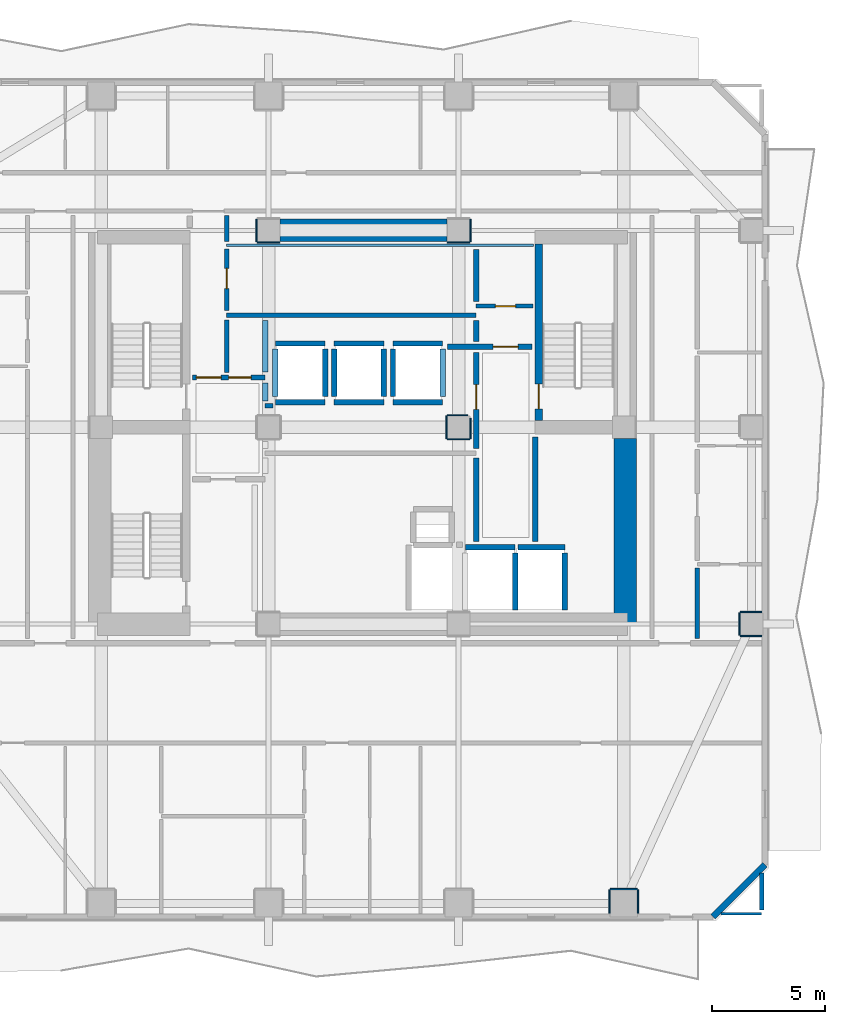
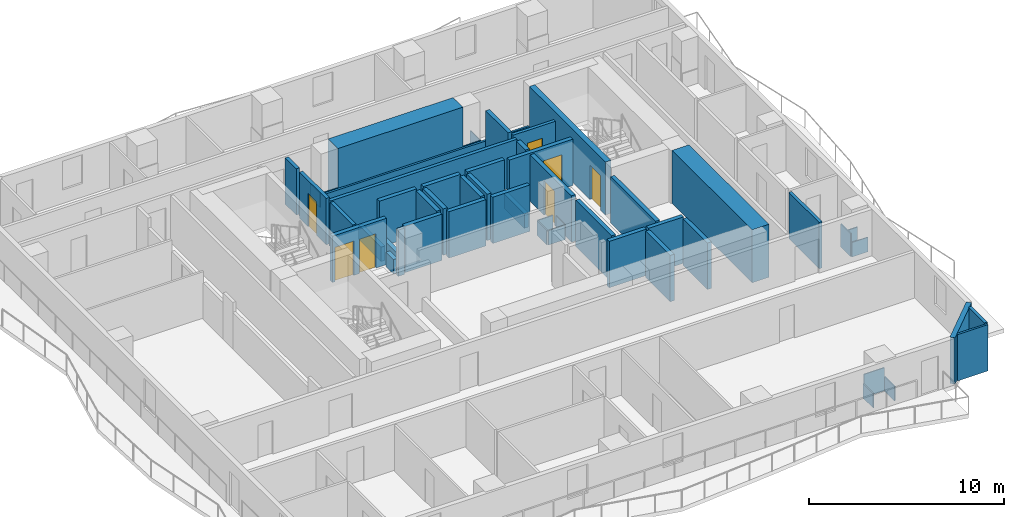
# One storey, part 4 of 10: 53 walls, 7 doors, 7 openings.
"""IFC4 building model written with IfcOpenShell, lengths in metres."""

from ifc_helpers import new_model, si_unit, direction, frame, frame_2d, origin, place, context, subcontext, project, spatial, rectangle, extrude, material, layer, layer_set, type_object, element, fill, save


model = new_model("IFC4")

# Units and contexts
model_context = context("Model", 3, precision=1e-05, world=origin(), true_north=direction((0.0, 1.0)))
body_context = subcontext(model_context, "Body", "Model", "MODEL_VIEW")
ifc_project = project(units=[si_unit("LENGTHUNIT", "METRE"), si_unit("AREAUNIT", "SQUARE_METRE"), si_unit("VOLUMEUNIT", "CUBIC_METRE"), si_unit("PLANEANGLEUNIT", "RADIAN"), si_unit("MASSUNIT", "GRAM", prefix="KILO")], contexts=[model_context])

# Site, building, storey
site_placement = place(None, origin())
site = spatial("IfcSite", under=ifc_project, at=site_placement, CompositionType="ELEMENT")
building_placement = place(site_placement, origin())
building = spatial("IfcBuilding", under=site, at=building_placement, Name="Solanera Arch Residences", CompositionType="ELEMENT")
storey_placement = place(building_placement, frame((0.0, 0.0, 122.679931640625)))
storey = spatial("IfcBuildingStorey", under=building, at=storey_placement, Name="L35", CompositionType="ELEMENT", Elevation=122.679931640625)

# Walls
ifc_material_1 = material(Name="Fire-Rated Gypsum Stud Partition", Category="gypsum")
ifc_layer_1 = layer(ifc_material_1, 0.06005859375)
ifc_layer_set_1 = layer_set([ifc_layer_1], Name="Fire-Rated Gypsum Stud Partition")
wall_type_1 = type_object("IfcWallType", Name="Column Acoustic Furring Wall 60", PredefinedType="PARTITIONING", material=ifc_layer_set_1)
for number, where, z_axis, x_axis, name in (
    (1, (20.300048828125, 38.867919921875, 0.0), (0.0, 0.0, 1.0), (1.0, 0.0, 0.0), "L35 Column Furring 3S"),
    (2, (20.26806640625, 38.89990234375, 0.0), (0.0, 0.0, 1.0), (0.0, 1.0, 0.0), "L35 Column Furring 3W"),
    (3, (28.699951171875, 38.867919921875, 0.0), (0.0, 0.0, 1.0), (1.0, 0.0, 0.0), "L35 Column Furring 4S"),
    (4, (29.73193359375, 38.89990234375, 0.0), (0.0, 0.0, 1.0), (0.0, 1.0, 0.0), "L35 Column Furring 4E"),
    (5, (28.699951171875, 30.16796875, 0.0), (0.0, 0.0, 1.0), (1.0, 0.0, 0.0), "L35 Column Furring 8S"),
):
    element("IfcWall", number, at=place(storey_placement, frame(where, z_axis=z_axis, x_axis=x_axis)), inside=storey, type_object=wall_type_1, Name=name, PredefinedType="PARTITIONING", context=body_context, shape_type="SweptSolid", body=[
        extrude(rectangle(XDim=1.0, YDim=0.06005859375, at=frame_2d((0.5, 0.0))), origin(), (0.0, 0.0, 1.0), 0.905029296875),
    ])
wall_1_placement = place(storey_placement, frame((28.699951171875, 31.23193359375, 0.0), z_axis=(0.0, 0.0, 1.0), x_axis=(1.0, 0.0, 0.0)))
element("IfcWall", 6, at=wall_1_placement, inside=storey, type_object=wall_type_1, Name="L35 Column Furring 8N", PredefinedType="PARTITIONING", context=body_context, shape_type="SweptSolid", body=[
    extrude(rectangle(XDim=0.903076171875, YDim=0.06005859375, at=frame_2d((0.45166015625, 0.0))), origin(), (0.0, 0.0, 1.0), 0.905029296875),
])
wall_2_placement = place(storey_placement, frame((28.66796875, 30.199951171875, 0.0), z_axis=(0.0, 0.0, 1.0), x_axis=(0.0, 1.0, 0.0)))
element("IfcWall", 7, at=wall_2_placement, inside=storey, type_object=wall_type_1, Name="L35 Column Furring 8W", PredefinedType="PARTITIONING", context=body_context, shape_type="SweptSolid", body=[
    extrude(rectangle(XDim=1.0, YDim=0.06005859375, at=frame_2d((0.5, 0.0))), origin(), (0.0, 0.0, 1.0), 0.905029296875),
])
wall_3_placement = place(storey_placement, frame((29.73193359375, 30.199951171875, 0.0), z_axis=(0.0, 0.0, 1.0), x_axis=(0.0, 1.0, 0.0)))
element("IfcWall", 8, at=wall_3_placement, inside=storey, type_object=wall_type_1, Name="L35 Column Furring 8E", PredefinedType="PARTITIONING", context=body_context, shape_type="SweptSolid", body=[
    extrude(rectangle(XDim=0.906982421875, YDim=0.06005859375, at=frame_2d((0.45361328125, 0.0))), origin(), (0.0, 0.0, 1.0), 0.905029296875),
])
wall_4_placement = place(storey_placement, frame((35.89990234375, 10.281982421875, 0.0), z_axis=(0.0, 0.0, 1.0), x_axis=(1.0, 0.0, 0.0)))
element("IfcWall", 9, at=wall_4_placement, inside=storey, type_object=wall_type_1, Name="L35 Column Furring 15N", PredefinedType="PARTITIONING", context=body_context, shape_type="SweptSolid", body=[
    extrude(rectangle(XDim=1.2001953125, YDim=0.06005859375, at=frame_2d((0.60009765625, 0.0))), origin(), (0.0, 0.0, 1.0), 1.449951171875),
])
for number, where, z_axis, x_axis, name in (
    (10, (35.867919921875, 9.2099609375, 0.0), (0.0, 0.0, 1.0), (0.0, 1.0, 0.0), "L35 Column Furring 15W"),
    (11, (37.132080078125, 9.2099609375, 0.0), (0.0, 0.0, 1.0), (0.0, 1.0, 0.0), "L35 Column Furring 15E"),
):
    element("IfcWall", number, at=place(storey_placement, frame(where, z_axis=z_axis, x_axis=x_axis)), inside=storey, type_object=wall_type_1, Name=name, PredefinedType="PARTITIONING", context=body_context, shape_type="SweptSolid", body=[
        extrude(rectangle(XDim=1.0400390625, YDim=0.06005859375, at=frame_2d((0.52001953125, 0.0))), origin(), (0.0, 0.0, 1.0), 0.905029296875),
    ])
for number, where, z_axis, x_axis, name in (
    (12, (41.64990234375, 21.468017578125, 0.0), (0.0, 0.0, 1.0), (1.0, 0.0, 0.0), "L35 Column Furring 18S"),
    (13, (41.64990234375, 22.531982421875, 0.0), (0.0, 0.0, 1.0), (1.0, 0.0, 0.0), "L35 Column Furring 18N"),
):
    element("IfcWall", number, at=place(storey_placement, frame(where, z_axis=z_axis, x_axis=x_axis)), inside=storey, type_object=wall_type_1, Name=name, PredefinedType="PARTITIONING", context=body_context, shape_type="SweptSolid", body=[
        extrude(rectangle(XDim=0.940185546875, YDim=0.06005859375, at=frame_2d((0.47021484375, 0.0))), origin(), (0.0, 0.0, 1.0), 0.905029296875),
    ])
wall_5_placement = place(storey_placement, frame((41.617919921875, 21.5, 0.0), z_axis=(0.0, 0.0, 1.0), x_axis=(0.0, 1.0, 0.0)))
element("IfcWall", 14, at=wall_5_placement, inside=storey, type_object=wall_type_1, Name="L35 Column Furring 18W", PredefinedType="PARTITIONING", context=body_context, shape_type="SweptSolid", body=[
    extrude(rectangle(XDim=1.0, YDim=0.06005859375, at=frame_2d((0.5, 0.0))), origin(), (0.0, 0.0, 1.0), 1.449951171875),
])
ifc_material_2 = material(Name="Concrete C55/67 (f'c = 60 MPa)", Category="concrete")
ifc_layer_2 = layer(ifc_material_2, 1.0)
ifc_layer_set_2 = layer_set([ifc_layer_2], Name="Concrete C55/67 (f'c = 60 MPa)")
wall_type_2 = type_object("IfcWallType", Name="Core Shear Wall CW-1000", PredefinedType="SHEAR", material=ifc_layer_set_2)
wall_6_placement = place(storey_placement, frame((36.56005859375, 22.0, 0.0), z_axis=(0.0, 0.0, 1.0), x_axis=(0.0, 1.0, 0.0)))
element("IfcWall", 15, at=wall_6_placement, inside=storey, type_object=wall_type_2, Name="L35 East Core South Shear Wall", PredefinedType="SHEAR", context=body_context, shape_type="SweptSolid", body=[
    extrude(rectangle(XDim=8.195068359375, YDim=1.0, at=frame_2d((4.09765625, 0.0))), origin(), (0.0, 0.0, 1.0), 3.320068359375),
])
wall_7_placement = place(storey_placement, frame((21.304931640625, 39.39990234375, 0.0), z_axis=(0.0, 0.0, 1.0), x_axis=(1.0, 0.0, 0.0)))
element("IfcWall", 16, at=wall_7_placement, inside=storey, type_object=wall_type_2, Name="L35 Central North Core Shear Wall", PredefinedType="SHEAR", context=body_context, shape_type="SweptSolid", body=[
    extrude(rectangle(XDim=7.39013671875, YDim=1.0, at=frame_2d((3.695068359375, 0.0))), origin(), (0.0, 0.0, 1.0), 3.320068359375),
])

# Wall, opening, door
ifc_material_3 = material(Name="Concrete C40/50 (f'c = 45 MPa)", Category="concrete")
ifc_layer_3 = layer(ifc_material_3, 0.320068359375)
ifc_layer_set_3 = layer_set([ifc_layer_3], Name="Concrete C40/50 (f'c = 45 MPa)")
wall_type_3 = type_object("IfcWallType", Name="Core Shear Wall CW-320", PredefinedType="SHEAR", material=ifc_layer_set_3)
wall_8_placement = place(storey_placement, frame((32.739990234375, 31.0, 0.0), z_axis=(0.0, 0.0, 1.0), x_axis=(0.0, 1.0, 0.0)))
wall_8 = element("IfcWall", 17, at=wall_8_placement, inside=storey, type_object=wall_type_3, Name="L35 Stair ST-T2 West Shear Wall", PredefinedType="SHEAR", context=body_context, shape_type="SweptSolid", body=[
    extrude(rectangle(XDim=7.800048828125, YDim=0.320068359375, at=frame_2d((3.89990234375, 0.0))), origin(), (0.0, 0.0, 1.0), 3.320068359375),
])
opening_1_placement = place(wall_8_placement, frame((0.510009765625, 0.0, 0.0)))
opening_1 = element("IfcOpeningElement", 18, at=opening_1_placement, cuts=wall_8, Name="Opening DF-01", PredefinedType="OPENING", context=body_context, shape_type="SweptSolid", body=[
    extrude(rectangle(XDim=1.10009765625, YDim=2.14990234375, at=frame_2d((0.550048828125, 1.074951171875))), frame((0.0, 0.169921875, 0.0), z_axis=(0.0, -1.0, 0.0), x_axis=(1.0, 0.0, 0.0)), (0.0, 0.0, 1.0), 0.3401),
])
ifc_material_4 = material(Name="Fire-Rated Architectural Hardwood", Category="wood")
door_type_1 = type_object("IfcDoorType", Name="Stair Exit Fire Door DF-01", OperationType="NOTDEFINED", PredefinedType="DOOR", material=ifc_material_4)
door_1_placement = place(opening_1_placement, origin())
door_1 = element("IfcDoor", 19, at=door_1_placement, inside=storey, type_object=door_type_1, Name="DR-L35-STAIR-ST-T2", OperationType="SINGLE_SWING_RIGHT", OverallHeight=2.14990234375, OverallWidth=1.10009765625, PredefinedType="DOOR", context=body_context, shape_type="SweptSolid", body=[
    extrude(rectangle(XDim=1.10009765625, YDim=2.14990234375, at=frame_2d((0.550048828125, 1.074951171875))), frame((0.0, 0.02490234375, 0.0), z_axis=(0.0, -1.0, 0.0), x_axis=(1.0, 0.0, 0.0)), (0.0, 0.0, 1.0), 0.050048828125),
])
fill(opening_1, door_1)

# Wall
ifc_material_5 = material(Name="Autoclaved Aerated Concrete Blockwork", Category="masonry")
ifc_layer_4 = layer(ifc_material_5, 0.179931640625)
ifc_layer_set_4 = layer_set([ifc_layer_4], Name="Autoclaved Aerated Concrete Blockwork")
wall_type_4 = type_object("IfcWallType", Name="Corridor Fire Partition 180", PredefinedType="PARTITIONING", material=ifc_layer_set_4)
wall_9_placement = place(storey_placement, frame((20.64990234375, 31.64990234375, 0.0), z_axis=(0.0, 0.0, 1.0), x_axis=(1.0, 0.0, 0.0)))
element("IfcWall", 20, at=wall_9_placement, inside=storey, type_object=wall_type_4, Name="L35 Interior Partition H9", PredefinedType="PARTITIONING", context=body_context, shape_type="SweptSolid", body=[
    extrude(rectangle(XDim=0.357177734375, YDim=0.179931640625, at=frame_2d((0.1787109375, 0.0))), origin(), (0.0, 0.0, 1.0), 2.900146484375),
])

# Wall, opening, door
wall_10_placement = place(storey_placement, frame((29.97509765625, 36.050048828125, 0.0), z_axis=(0.0, 0.0, 1.0), x_axis=(1.0, 0.0, 0.0)))
wall_10 = element("IfcWall", 21, at=wall_10_placement, inside=storey, type_object=wall_type_4, Name="L35 Interior Partition H10", PredefinedType="PARTITIONING", context=body_context, shape_type="SweptSolid", body=[
    extrude(rectangle(XDim=2.5048828125, YDim=0.179931640625, at=frame_2d((1.25244140625, 0.0))), origin(), (0.0, 0.0, 1.0), 2.900146484375),
])
opening_2_placement = place(wall_10_placement, frame((0.85205078125, 0.0, 0.0)))
opening_2 = element("IfcOpeningElement", 22, at=opening_2_placement, cuts=wall_10, Name="Opening DI-02", PredefinedType="OPENING", context=body_context, shape_type="SweptSolid", body=[
    extrude(rectangle(XDim=0.89990234375, YDim=2.10009765625, at=frame_2d((0.449951171875, 1.050048828125))), frame((0.0, 0.10009765625, 0.0), z_axis=(0.0, -1.0, 0.0), x_axis=(1.0, 0.0, 0.0)), (0.0, 0.0, 1.0), 0.1999),
])
ifc_material_6 = material(Name="Fire-Rated Architectural Hardwood", Category="wood")
door_type_2 = type_object("IfcDoorType", Name="Suite Room Swing Door DI-02", OperationType="NOTDEFINED", PredefinedType="DOOR", material=ifc_material_6)
door_2_placement = place(opening_2_placement, origin())
door_2 = element("IfcDoor", 23, at=door_2_placement, inside=storey, type_object=door_type_2, Name="DR-L35-IN-015", OperationType="SINGLE_SWING_LEFT", OverallHeight=2.10009765625, OverallWidth=0.89990234375, PredefinedType="DOOR", context=body_context, shape_type="SweptSolid", body=[
    extrude(rectangle(XDim=0.89990234375, YDim=2.10009765625, at=frame_2d((0.449951171875, 1.050048828125))), frame((0.0, 0.02490234375, 0.0), z_axis=(0.0, -1.0, 0.0), x_axis=(1.0, 0.0, 0.0)), (0.0, 0.0, 1.0), 0.050048828125),
])
fill(opening_2, door_2)

# Walls
wall_11_placement = place(storey_placement, frame((39.75, 21.367919921875, 0.0), z_axis=(0.0, 0.0, 1.0), x_axis=(0.0, 1.0, 0.0)))
element("IfcWall", 24, at=wall_11_placement, inside=storey, type_object=wall_type_4, Name="L35 Interior Partition V12 1", PredefinedType="PARTITIONING", context=body_context, shape_type="SweptSolid", body=[
    extrude(rectangle(XDim=3.109130859375, YDim=0.179931640625, at=frame_2d((1.5546875, 0.0))), origin(), (0.0, 0.0, 1.0), 2.900146484375),
])
wall_12_placement = place(storey_placement, frame((42.60009765625, 9.35791015625, 0.0), z_axis=(0.0, 0.0, 1.0), x_axis=(0.0, 1.0, 0.0)))
element("IfcWall", 25, at=wall_12_placement, inside=storey, type_object=wall_type_4, Name="L35 Interior Partition V13 1", PredefinedType="PARTITIONING", context=body_context, shape_type="SweptSolid", body=[
    extrude(rectangle(XDim=1.63720703125, YDim=0.179931640625, at=frame_2d((0.818603515625, 0.0))), origin(), (0.0, 0.0, 1.0), 2.900146484375),
])
ifc_material_7 = material(Name="Precast Concrete C35/45", Category="concrete")
ifc_layer_5 = layer(ifc_material_7, 0.280029296875)
ifc_layer_set_5 = layer_set([ifc_layer_5], Name="Precast Concrete C35/45")
wall_type_5 = type_object("IfcWallType", Name="Exterior Wall Precast Masonry-Frame 280", PredefinedType="STANDARD", material=ifc_layer_set_5)
wall_13_placement = place(storey_placement, frame((42.7451171875, 11.35498046875, 0.0), z_axis=(0.0, 0.0, 1.0), x_axis=(-0.707106781187, -0.707106781187, 0.0)))
element("IfcWall", 26, at=wall_13_placement, inside=storey, type_object=wall_type_5, Name="L35 Tower Exterior Precast Masonry-Frame Wall CH5", PredefinedType="STANDARD", context=body_context, shape_type="SweptSolid", body=[
    extrude(rectangle(XDim=3.252685546875, YDim=0.280029296875, at=frame_2d((1.62646484375, 0.0))), origin(), (0.0, 0.0, 1.0), 2.900146484375),
])
ifc_material_8 = material(Name="Autoclaved Aerated Concrete Blockwork", Category="masonry")
ifc_layer_6 = layer(ifc_material_8, 0.199951171875)
ifc_layer_set_6 = layer_set([ifc_layer_6], Name="Autoclaved Aerated Concrete Blockwork")
wall_type_6 = type_object("IfcWallType", Name="Party Wall Acoustic 200", PredefinedType="PARTITIONING", material=ifc_layer_set_6)
wall_14_placement = place(storey_placement, frame((18.949951171875, 35.64990234375, 0.0), z_axis=(0.0, 0.0, 1.0), x_axis=(1.0, 0.0, 0.0)))
element("IfcWall", 27, at=wall_14_placement, inside=storey, type_object=wall_type_6, Name="L35 Interior Partition H6", PredefinedType="PARTITIONING", context=body_context, shape_type="SweptSolid", body=[
    extrude(rectangle(XDim=11.025146484375, YDim=0.199951171875, at=frame_2d((5.5126953125, 0.0))), origin(), (0.0, 0.0, 1.0), 2.900146484375),
])
wall_15_placement = place(storey_placement, frame((18.949951171875, 33.1279296875, 0.0), z_axis=(0.0, 0.0, 1.0), x_axis=(0.0, 1.0, 0.0)))
element("IfcWall", 28, at=wall_15_placement, inside=storey, type_object=wall_type_6, Name="L35 Interior Partition V6 1", PredefinedType="PARTITIONING", context=body_context, shape_type="SweptSolid", body=[
    extrude(rectangle(XDim=2.31396484375, YDim=0.199951171875, at=frame_2d((1.156982421875, 0.0))), origin(), (0.0, 0.0, 1.0), 2.900146484375),
])

# Wall, opening, door
wall_16_placement = place(storey_placement, frame((18.949951171875, 35.85791015625, 0.0), z_axis=(0.0, 0.0, 1.0), x_axis=(0.0, 1.0, 0.0)))
wall_16 = element("IfcWall", 29, at=wall_16_placement, inside=storey, type_object=wall_type_6, Name="L35 Interior Partition V6 2", PredefinedType="PARTITIONING", context=body_context, shape_type="SweptSolid", body=[
    extrude(rectangle(XDim=2.72412109375, YDim=0.199951171875, at=frame_2d((1.362060546875, 0.0))), origin(), (0.0, 0.0, 1.0), 2.900146484375),
])
opening_3_placement = place(wall_16_placement, frame((0.967041015625, 0.0, 0.0)))
opening_3 = element("IfcOpeningElement", 30, at=opening_3_placement, cuts=wall_16, Name="Opening DI-02", PredefinedType="OPENING", context=body_context, shape_type="SweptSolid", body=[
    extrude(rectangle(XDim=0.89990234375, YDim=2.10009765625, at=frame_2d((0.449951171875, 1.050048828125))), frame((0.0, 0.110107421875, 0.0), z_axis=(0.0, -1.0, 0.0), x_axis=(1.0, 0.0, 0.0)), (0.0, 0.0, 1.0), 0.22),
])
door_3_placement = place(opening_3_placement, origin())
door_3 = element("IfcDoor", 31, at=door_3_placement, inside=storey, type_object=door_type_2, Name="DR-L35-IN-016", OperationType="SINGLE_SWING_RIGHT", OverallHeight=2.10009765625, OverallWidth=0.89990234375, PredefinedType="DOOR", context=body_context, shape_type="SweptSolid", body=[
    extrude(rectangle(XDim=0.89990234375, YDim=2.10009765625, at=frame_2d((0.449951171875, 1.050048828125))), frame((0.0, 0.02490234375, 0.0), z_axis=(0.0, -1.0, 0.0), x_axis=(1.0, 0.0, 0.0)), (0.0, 0.0, 1.0), 0.050048828125),
])
fill(opening_3, door_3)

# Walls
wall_17_placement = place(storey_placement, frame((18.949951171875, 38.91796875, 0.0), z_axis=(0.0, 0.0, 1.0), x_axis=(0.0, 1.0, 0.0)))
element("IfcWall", 32, at=wall_17_placement, inside=storey, type_object=wall_type_6, Name="L35 Interior Partition V6 3", PredefinedType="PARTITIONING", context=body_context, shape_type="SweptSolid", body=[
    extrude(rectangle(XDim=1.134033203125, YDim=0.199951171875, at=frame_2d((0.56689453125, 0.0))), origin(), (0.0, 0.0, 1.0), 2.900146484375),
])
ifc_material_9 = material(Name="Autoclaved Aerated Concrete Blockwork", Category="masonry")
ifc_layer_7 = layer(ifc_material_9, 0.239990234375)
ifc_layer_set_7 = layer_set([ifc_layer_7], Name="Autoclaved Aerated Concrete Blockwork")
wall_type_7 = type_object("IfcWallType", Name="Shaft Wall Fire-Rated 240", PredefinedType="PARTITIONING", material=ifc_layer_set_7)
for number, where, z_axis, x_axis, name in (
    (33, (21.10009765625, 31.800048828125, 0.0), (0.0, 0.0, 1.0), (1.0, 0.0, 0.0), "L35 Lift PL-M1 Hoistway Wall S"),
    (34, (21.10009765625, 34.39990234375, 0.0), (0.0, 0.0, 1.0), (1.0, 0.0, 0.0), "L35 Lift PL-M1 Hoistway Wall N"),
):
    element("IfcWall", number, at=place(storey_placement, frame(where, z_axis=z_axis, x_axis=x_axis)), inside=storey, type_object=wall_type_7, Name=name, PredefinedType="PARTITIONING", context=body_context, shape_type="SweptSolid", body=[
        extrude(rectangle(XDim=2.199951171875, YDim=0.239990234375, at=frame_2d((1.10009765625, 0.0))), origin(), (0.0, 0.0, 1.0), 2.900146484375),
    ])
wall_18_placement = place(storey_placement, frame((21.10009765625, 32.048095703125, 0.0), z_axis=(0.0, 0.0, 1.0), x_axis=(0.0, 1.0, 0.0)))
element("IfcWall", 35, at=wall_18_placement, inside=storey, type_object=wall_type_7, Name="L35 Lift PL-M1 Hoistway Wall W", PredefinedType="PARTITIONING", context=body_context, shape_type="SweptSolid", body=[
    extrude(rectangle(XDim=2.10400390625, YDim=0.239990234375, at=frame_2d((1.052001953125, 0.0))), origin(), (0.0, 0.0, 1.0), 0.905029296875),
])
wall_19_placement = place(storey_placement, frame((23.300048828125, 32.048095703125, 0.0), z_axis=(0.0, 0.0, 1.0), x_axis=(0.0, 1.0, 0.0)))
element("IfcWall", 36, at=wall_19_placement, inside=storey, type_object=wall_type_7, Name="L35 Lift PL-M1 Hoistway Wall E", PredefinedType="PARTITIONING", context=body_context, shape_type="SweptSolid", body=[
    extrude(rectangle(XDim=2.10400390625, YDim=0.239990234375, at=frame_2d((1.052001953125, 0.0))), origin(), (0.0, 0.0, 1.0), 2.900146484375),
])
for number, where, z_axis, x_axis, name in (
    (37, (23.699951171875, 31.800048828125, 0.0), (0.0, 0.0, 1.0), (1.0, 0.0, 0.0), "L35 Lift PL-M2 Hoistway Wall S"),
    (38, (23.699951171875, 34.39990234375, 0.0), (0.0, 0.0, 1.0), (1.0, 0.0, 0.0), "L35 Lift PL-M2 Hoistway Wall N"),
):
    element("IfcWall", number, at=place(storey_placement, frame(where, z_axis=z_axis, x_axis=x_axis)), inside=storey, type_object=wall_type_7, Name=name, PredefinedType="PARTITIONING", context=body_context, shape_type="SweptSolid", body=[
        extrude(rectangle(XDim=2.199951171875, YDim=0.239990234375, at=frame_2d((1.10009765625, 0.0))), origin(), (0.0, 0.0, 1.0), 2.900146484375),
    ])
for number, where, z_axis, x_axis, name in (
    (39, (23.699951171875, 32.048095703125, 0.0), (0.0, 0.0, 1.0), (0.0, 1.0, 0.0), "L35 Lift PL-M2 Hoistway Wall W"),
    (40, (25.89990234375, 32.048095703125, 0.0), (0.0, 0.0, 1.0), (0.0, 1.0, 0.0), "L35 Lift PL-M2 Hoistway Wall E"),
):
    element("IfcWall", number, at=place(storey_placement, frame(where, z_axis=z_axis, x_axis=x_axis)), inside=storey, type_object=wall_type_7, Name=name, PredefinedType="PARTITIONING", context=body_context, shape_type="SweptSolid", body=[
        extrude(rectangle(XDim=2.10400390625, YDim=0.239990234375, at=frame_2d((1.052001953125, 0.0))), origin(), (0.0, 0.0, 1.0), 2.900146484375),
    ])
for number, where, z_axis, x_axis, name in (
    (41, (26.300048828125, 31.800048828125, 0.0), (0.0, 0.0, 1.0), (1.0, 0.0, 0.0), "L35 Lift PL-M3 Hoistway Wall S"),
    (42, (26.300048828125, 34.39990234375, 0.0), (0.0, 0.0, 1.0), (1.0, 0.0, 0.0), "L35 Lift PL-M3 Hoistway Wall N"),
):
    element("IfcWall", number, at=place(storey_placement, frame(where, z_axis=z_axis, x_axis=x_axis)), inside=storey, type_object=wall_type_7, Name=name, PredefinedType="PARTITIONING", context=body_context, shape_type="SweptSolid", body=[
        extrude(rectangle(XDim=2.199951171875, YDim=0.239990234375, at=frame_2d((1.10009765625, 0.0))), origin(), (0.0, 0.0, 1.0), 2.900146484375),
    ])
wall_20_placement = place(storey_placement, frame((26.300048828125, 32.048095703125, 0.0), z_axis=(0.0, 0.0, 1.0), x_axis=(0.0, 1.0, 0.0)))
element("IfcWall", 43, at=wall_20_placement, inside=storey, type_object=wall_type_7, Name="L35 Lift PL-M3 Hoistway Wall W", PredefinedType="PARTITIONING", context=body_context, shape_type="SweptSolid", body=[
    extrude(rectangle(XDim=2.10400390625, YDim=0.239990234375, at=frame_2d((1.052001953125, 0.0))), origin(), (0.0, 0.0, 1.0), 2.900146484375),
])
wall_21_placement = place(storey_placement, frame((28.5, 32.048095703125, 0.0), z_axis=(0.0, 0.0, 1.0), x_axis=(0.0, 1.0, 0.0)))
element("IfcWall", 44, at=wall_21_placement, inside=storey, type_object=wall_type_7, Name="L35 Lift PL-M3 Hoistway Wall E", PredefinedType="PARTITIONING", context=body_context, shape_type="SweptSolid", body=[
    extrude(rectangle(XDim=2.10400390625, YDim=0.239990234375, at=frame_2d((1.052001953125, 0.0))), origin(), (0.0, 0.0, 1.0), 0.905029296875),
])
wall_22_placement = place(storey_placement, frame((29.5, 25.39990234375, 0.0), z_axis=(0.0, 0.0, 1.0), x_axis=(1.0, 0.0, 0.0)))
element("IfcWall", 45, at=wall_22_placement, inside=storey, type_object=wall_type_7, Name="L35 Lift FFL-1 Hoistway Wall N", PredefinedType="PARTITIONING", context=body_context, shape_type="SweptSolid", body=[
    extrude(rectangle(XDim=2.199951171875, YDim=0.239990234375, at=frame_2d((1.10009765625, 0.0))), origin(), (0.0, 0.0, 1.0), 2.900146484375),
])
wall_23_placement = place(storey_placement, frame((31.699951171875, 22.6298828125, 0.0), z_axis=(0.0, 0.0, 1.0), x_axis=(0.0, 1.0, 0.0)))
element("IfcWall", 46, at=wall_23_placement, inside=storey, type_object=wall_type_7, Name="L35 Lift FFL-1 Hoistway Wall E", PredefinedType="PARTITIONING", context=body_context, shape_type="SweptSolid", body=[
    extrude(rectangle(XDim=2.522216796875, YDim=0.239990234375, at=frame_2d((1.26123046875, 0.0))), origin(), (0.0, 0.0, 1.0), 2.900146484375),
])
wall_24_placement = place(storey_placement, frame((31.827880859375, 25.39990234375, 0.0), z_axis=(0.0, 0.0, 1.0), x_axis=(1.0, 0.0, 0.0)))
element("IfcWall", 47, at=wall_24_placement, inside=storey, type_object=wall_type_7, Name="L35 Lift FFL-2 Hoistway Wall N", PredefinedType="PARTITIONING", context=body_context, shape_type="SweptSolid", body=[
    extrude(rectangle(XDim=2.072021484375, YDim=0.239990234375, at=frame_2d((1.0361328125, 0.0))), origin(), (0.0, 0.0, 1.0), 2.900146484375),
])
wall_25_placement = place(storey_placement, frame((33.89990234375, 22.6298828125, 0.0), z_axis=(0.0, 0.0, 1.0), x_axis=(0.0, 1.0, 0.0)))
element("IfcWall", 48, at=wall_25_placement, inside=storey, type_object=wall_type_7, Name="L35 Lift FFL-2 Hoistway Wall E", PredefinedType="PARTITIONING", context=body_context, shape_type="SweptSolid", body=[
    extrude(rectangle(XDim=2.522216796875, YDim=0.239990234375, at=frame_2d((1.26123046875, 0.0))), origin(), (0.0, 0.0, 1.0), 2.900146484375),
])

# Wall, openings, doors
wall_26_placement = place(storey_placement, frame((17.449951171875, 32.89990234375, 0.0), z_axis=(0.0, 0.0, 1.0), x_axis=(1.0, 0.0, 0.0)))
wall_26 = element("IfcWall", 49, at=wall_26_placement, inside=storey, type_object=wall_type_7, Name="L35 Interior Partition H4", PredefinedType="PARTITIONING", context=body_context, shape_type="SweptSolid", body=[
    extrude(rectangle(XDim=3.199951171875, YDim=0.239990234375, at=frame_2d((1.60009765625, 0.0))), origin(), (0.0, 0.0, 1.0), 2.900146484375),
])
opening_4_placement = place(wall_26_placement, frame((0.158935546875, 0.0, 0.0)))
opening_4 = element("IfcOpeningElement", 50, at=opening_4_placement, cuts=wall_26, Name="Opening DF-02", PredefinedType="OPENING", context=body_context, shape_type="SweptSolid", body=[
    extrude(rectangle(XDim=1.10009765625, YDim=2.14990234375, at=frame_2d((0.550048828125, 1.074951171875))), frame((0.0, 0.1298828125, 0.0), z_axis=(0.0, -1.0, 0.0), x_axis=(1.0, 0.0, 0.0)), (0.0, 0.0, 1.0), 0.26),
])
opening_5_placement = place(wall_26_placement, frame((1.5859375, 0.0, 0.0)))
opening_5 = element("IfcOpeningElement", 51, at=opening_5_placement, cuts=wall_26, Name="Opening DI-01", PredefinedType="OPENING", context=body_context, shape_type="SweptSolid", body=[
    extrude(rectangle(XDim=1.0, YDim=2.14990234375, at=frame_2d((0.5, 1.074951171875))), frame((0.0, 0.1298828125, 0.0), z_axis=(0.0, -1.0, 0.0), x_axis=(1.0, 0.0, 0.0)), (0.0, 0.0, 1.0), 0.26),
])
ifc_material_10 = material(Name="Fire-Rated Architectural Hardwood", Category="wood")
door_type_3 = type_object("IfcDoorType", Name="Firefighting Lobby Fire Door DF-02", OperationType="NOTDEFINED", PredefinedType="DOOR", material=ifc_material_10)
door_4_placement = place(opening_4_placement, origin())
door_4 = element("IfcDoor", 52, at=door_4_placement, inside=storey, type_object=door_type_3, Name="DR-L35-IN-005", OperationType="SINGLE_SWING_LEFT", OverallHeight=2.14990234375, OverallWidth=1.10009765625, PredefinedType="DOOR", context=body_context, shape_type="SweptSolid", body=[
    extrude(rectangle(XDim=1.10009765625, YDim=2.14990234375, at=frame_2d((0.550048828125, 1.074951171875))), frame((0.0, 0.02490234375, 0.0), z_axis=(0.0, -1.0, 0.0), x_axis=(1.0, 0.0, 0.0)), (0.0, 0.0, 1.0), 0.050048828125),
])
fill(opening_4, door_4)
ifc_material_11 = material(Name="Fire-Rated Architectural Hardwood", Category="wood")
door_type_4 = type_object("IfcDoorType", Name="Unit Entrance Fire Door DI-01", OperationType="NOTDEFINED", PredefinedType="DOOR", material=ifc_material_11)
door_5_placement = place(opening_5_placement, origin())
door_5 = element("IfcDoor", 53, at=door_5_placement, inside=storey, type_object=door_type_4, Name="DR-L35-IN-014", OperationType="SINGLE_SWING_RIGHT", OverallHeight=2.14990234375, OverallWidth=1.0, PredefinedType="DOOR", context=body_context, shape_type="SweptSolid", body=[
    extrude(rectangle(XDim=1.0, YDim=2.14990234375, at=frame_2d((0.5, 1.074951171875))), frame((0.0, 0.02490234375, 0.0), z_axis=(0.0, -1.0, 0.0), x_axis=(1.0, 0.0, 0.0)), (0.0, 0.0, 1.0), 0.050048828125),
])
fill(opening_5, door_5)

# Wall, opening, door
wall_27_placement = place(storey_placement, frame((28.701904296875, 34.25, 0.0), z_axis=(0.0, 0.0, 1.0), x_axis=(1.0, 0.0, 0.0)))
wall_27 = element("IfcWall", 54, at=wall_27_placement, inside=storey, type_object=wall_type_7, Name="L35 Interior Partition H5", PredefinedType="PARTITIONING", context=body_context, shape_type="SweptSolid", body=[
    extrude(rectangle(XDim=3.748046875, YDim=0.239990234375, at=frame_2d((1.8740234375, 0.0))), origin(), (0.0, 0.0, 1.0), 2.900146484375),
])
opening_6_placement = place(wall_27_placement, frame((2.02490234375, 0.0, 0.0)))
opening_6 = element("IfcOpeningElement", 55, at=opening_6_placement, cuts=wall_27, Name="Opening DF-02", PredefinedType="OPENING", context=body_context, shape_type="SweptSolid", body=[
    extrude(rectangle(XDim=1.10009765625, YDim=2.14990234375, at=frame_2d((0.550048828125, 1.074951171875))), frame((0.0, 0.1298828125, 0.0), z_axis=(0.0, -1.0, 0.0), x_axis=(1.0, 0.0, 0.0)), (0.0, 0.0, 1.0), 0.26),
])
door_6_placement = place(opening_6_placement, origin())
door_6 = element("IfcDoor", 56, at=door_6_placement, inside=storey, type_object=door_type_3, Name="DR-L35-IN-007", OperationType="SINGLE_SWING_LEFT", OverallHeight=2.14990234375, OverallWidth=1.10009765625, PredefinedType="DOOR", context=body_context, shape_type="SweptSolid", body=[
    extrude(rectangle(XDim=1.10009765625, YDim=2.14990234375, at=frame_2d((0.550048828125, 1.074951171875))), frame((0.0, 0.02490234375, 0.0), z_axis=(0.0, -1.0, 0.0), x_axis=(1.0, 0.0, 0.0)), (0.0, 0.0, 1.0), 0.050048828125),
])
fill(opening_6, door_6)

# Walls
wall_28_placement = place(storey_placement, frame((20.64990234375, 31.867919921875, 0.0), z_axis=(0.0, 0.0, 1.0), x_axis=(0.0, 1.0, 0.0)))
element("IfcWall", 57, at=wall_28_placement, inside=storey, type_object=wall_type_7, Name="L35 Interior Partition V3 3", PredefinedType="PARTITIONING", context=body_context, shape_type="SweptSolid", body=[
    extrude(rectangle(XDim=0.7841796875, YDim=0.239990234375, at=frame_2d((0.39208984375, 0.0))), origin(), (0.0, 0.0, 1.0), 0.905029296875),
])
wall_29_placement = place(storey_placement, frame((20.64990234375, 33.14794921875, 0.0), z_axis=(0.0, 0.0, 1.0), x_axis=(0.0, 1.0, 0.0)))
element("IfcWall", 58, at=wall_29_placement, inside=storey, type_object=wall_type_7, Name="L35 Interior Partition V3 4", PredefinedType="PARTITIONING", context=body_context, shape_type="SweptSolid", body=[
    extrude(rectangle(XDim=2.274169921875, YDim=0.239990234375, at=frame_2d((1.13720703125, 0.0))), origin(), (0.0, 0.0, 1.0), 0.905029296875),
])
wall_30_placement = place(storey_placement, frame((29.97509765625, 25.64794921875, 0.0), z_axis=(0.0, 0.0, 1.0), x_axis=(0.0, 1.0, 0.0)))
element("IfcWall", 59, at=wall_30_placement, inside=storey, type_object=wall_type_7, Name="L35 Interior Partition V4 1", PredefinedType="PARTITIONING", context=body_context, shape_type="SweptSolid", body=[
    extrude(rectangle(XDim=3.68408203125, YDim=0.239990234375, at=frame_2d((1.842041015625, 0.0))), origin(), (0.0, 0.0, 1.0), 2.900146484375),
])

# Wall, opening, door
wall_31_placement = place(storey_placement, frame((29.97509765625, 29.76806640625, 0.0), z_axis=(0.0, 0.0, 1.0), x_axis=(0.0, 1.0, 0.0)))
wall_31 = element("IfcWall", 60, at=wall_31_placement, inside=storey, type_object=wall_type_7, Name="L35 Interior Partition V4 2", PredefinedType="PARTITIONING", context=body_context, shape_type="SweptSolid", body=[
    extrude(rectangle(XDim=4.23388671875, YDim=0.239990234375, at=frame_2d((2.116943359375, 0.0))), origin(), (0.0, 0.0, 1.0), 2.900146484375),
])
opening_7_placement = place(wall_31_placement, frame((1.717041015625, 0.0, 0.0)))
opening_7 = element("IfcOpeningElement", 61, at=opening_7_placement, cuts=wall_31, Name="Opening DF-02", PredefinedType="OPENING", context=body_context, shape_type="SweptSolid", body=[
    extrude(rectangle(XDim=1.10009765625, YDim=2.14990234375, at=frame_2d((0.550048828125, 1.074951171875))), frame((0.0, 0.1298828125, 0.0), z_axis=(0.0, -1.0, 0.0), x_axis=(1.0, 0.0, 0.0)), (0.0, 0.0, 1.0), 0.26),
])
door_7_placement = place(opening_7_placement, origin())
door_7 = element("IfcDoor", 62, at=door_7_placement, inside=storey, type_object=door_type_3, Name="DR-L35-IN-006", OperationType="SINGLE_SWING_RIGHT", OverallHeight=2.14990234375, OverallWidth=1.10009765625, PredefinedType="DOOR", context=body_context, shape_type="SweptSolid", body=[
    extrude(rectangle(XDim=1.10009765625, YDim=2.14990234375, at=frame_2d((0.550048828125, 1.074951171875))), frame((0.0, 0.02490234375, 0.0), z_axis=(0.0, -1.0, 0.0), x_axis=(1.0, 0.0, 0.0)), (0.0, 0.0, 1.0), 0.050048828125),
])
fill(opening_7, door_7)

# Walls
wall_32_placement = place(storey_placement, frame((29.97509765625, 34.498046875, 0.0), z_axis=(0.0, 0.0, 1.0), x_axis=(0.0, 1.0, 0.0)))
element("IfcWall", 63, at=wall_32_placement, inside=storey, type_object=wall_type_7, Name="L35 Interior Partition V4 3", PredefinedType="PARTITIONING", context=body_context, shape_type="SweptSolid", body=[
    extrude(rectangle(XDim=0.924072265625, YDim=0.239990234375, at=frame_2d((0.4619140625, 0.0))), origin(), (0.0, 0.0, 1.0), 2.900146484375),
])
wall_33_placement = place(storey_placement, frame((29.97509765625, 36.26806640625, 0.0), z_axis=(0.0, 0.0, 1.0), x_axis=(0.0, 1.0, 0.0)))
element("IfcWall", 64, at=wall_33_placement, inside=storey, type_object=wall_type_7, Name="L35 Interior Partition V4 4", PredefinedType="PARTITIONING", context=body_context, shape_type="SweptSolid", body=[
    extrude(rectangle(XDim=2.2939453125, YDim=0.239990234375, at=frame_2d((1.14697265625, 0.0))), origin(), (0.0, 0.0, 1.0), 2.900146484375),
])
wall_34_placement = place(storey_placement, frame((32.580078125, 25.64794921875, 0.0), z_axis=(0.0, 0.0, 1.0), x_axis=(0.0, 1.0, 0.0)))
element("IfcWall", 65, at=wall_34_placement, inside=storey, type_object=wall_type_7, Name="L35 Interior Partition V5", PredefinedType="PARTITIONING", context=body_context, shape_type="SweptSolid", body=[
    extrude(rectangle(XDim=4.6220703125, YDim=0.239990234375, at=frame_2d((2.31103515625, 0.0))), origin(), (0.0, 0.0, 1.0), 2.900146484375),
])
ifc_material_12 = material(Name="Fire-Rated Gypsum Stud Partition", Category="gypsum")
ifc_layer_8 = layer(ifc_material_12, 0.1201171875)
ifc_layer_set_8 = layer_set([ifc_layer_8], Name="Fire-Rated Gypsum Stud Partition")
wall_type_8 = type_object("IfcWallType", Name="Unit Drywall Partition 120", PredefinedType="PARTITIONING", material=ifc_layer_set_8)
wall_35_placement = place(storey_placement, frame((40.804931640625, 9.199951171875, 0.0), z_axis=(0.0, 0.0, 1.0), x_axis=(1.0, 0.0, 0.0)))
element("IfcWall", 66, at=wall_35_placement, inside=storey, type_object=wall_type_8, Name="L35 Interior Partition H18 2", PredefinedType="PARTITIONING", context=body_context, shape_type="SweptSolid", body=[
    extrude(rectangle(XDim=1.795166015625, YDim=0.1201171875, at=frame_2d((0.8974609375, 0.0))), origin(), (0.0, 0.0, 1.0), 2.900146484375),
])
wall_36_placement = place(storey_placement, frame((18.949951171875, 38.75, 0.0), z_axis=(0.0, 0.0, 1.0), x_axis=(1.0, 0.0, 0.0)))
element("IfcWall", 67, at=wall_36_placement, inside=storey, type_object=wall_type_8, Name="L35 Interior Partition H22", PredefinedType="PARTITIONING", context=body_context, shape_type="SweptSolid", body=[
    extrude(rectangle(XDim=13.56005859375, YDim=0.1201171875, at=frame_2d((6.780029296875, 0.0))), origin(), (0.0, 0.0, 1.0), 0.905029296875),
])

save(model, "model.ifc")
